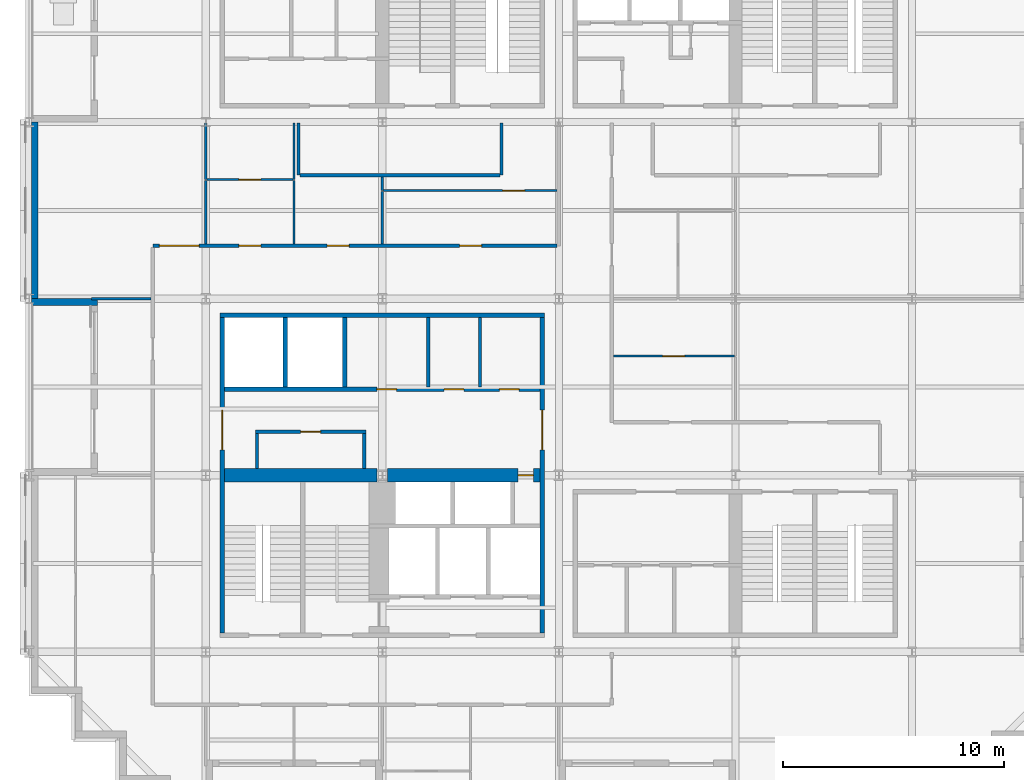
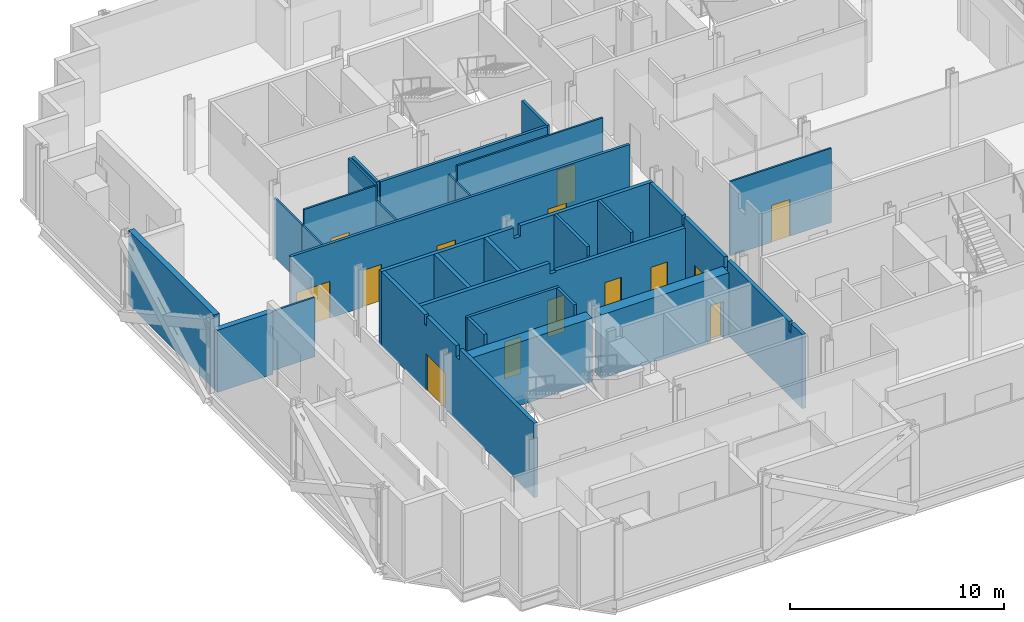
# One storey, part 6 of 13: 29 walls, 14 doors, 14 openings.
"""IFC4 building model written with IfcOpenShell, lengths in metres."""

import ifcopenshell
import ifcopenshell.guid

model = None  # the IFC model being written
_history = None  # IfcOwnerHistory: only IFC2X3 demands one
_inside = {}  # id of a spatial element -> (the spatial element, [elements in it])
_under = {}  # id of a project, library or spatial element -> (it, [spatial elements below it])
_declared = {}  # id of a project -> (the project, [libraries it declares])
_typed = {}  # id of a type object -> (the type object, [elements of that type])
_made_of = {}  # id of a material, layer set ... -> (it, [elements and type objects made of it])


def new_model(schema):
    """Start an empty IFC model of exactly this schema.

    Asked for "IFC4X3", IfcOpenShell would pick the latest addendum, in which some entities
    have other attributes; the version numbers below select the first issue.
    IFC2X3 requires an IfcOwnerHistory on every rooted entity: one is made here for all.
    """
    global model, _history
    if schema == "IFC4X3":
        model = ifcopenshell.file(schema_version=(4, 3, 0, 0))
    else:
        model = ifcopenshell.file(schema=schema)
    _inside.clear()
    _under.clear()
    _declared.clear()
    _typed.clear()
    _made_of.clear()
    _history = None
    if model.schema == "IFC2X3":
        org = make("IfcOrganization", Name="unknown")
        user = make(
            "IfcPersonAndOrganization",
            ThePerson=make("IfcPerson", FamilyName="unknown"),
            TheOrganization=org,
        )
        app = make(
            "IfcApplication",
            ApplicationDeveloper=org,
            Version="unknown",
            ApplicationFullName="unknown",
            ApplicationIdentifier="unknown",
        )
        _history = make(
            "IfcOwnerHistory",
            OwningUser=user,
            OwningApplication=app,
            ChangeAction="ADDED",
            CreationDate=0,
        )
    return model


def make(cls, **values):
    """One entity of the class cls with the attributes given. An attribute that is None is left unset."""
    return model.create_entity(
        cls, **{name: value for name, value in values.items() if value is not None}
    )


def rooted(cls, **values):
    """An entity with a GlobalId (a new one), such as an element, a storey or a relation."""
    return make(cls, GlobalId=ifcopenshell.guid.new(), OwnerHistory=_history, **values)


def si_unit(unit_type, name, prefix=None):
    """IfcSIUnit, for example si_unit("LENGTHUNIT", "METRE", prefix="MILLI")."""
    return make("IfcSIUnit", UnitType=unit_type, Prefix=prefix, Name=name)


def assignment(units):
    """IfcUnitAssignment: the units of a project."""
    return None if units is None else make("IfcUnitAssignment", Units=units)


def point(xyz):
    """IfcCartesianPoint."""
    return None if xyz is None else make("IfcCartesianPoint", Coordinates=xyz)


def direction(xyz):
    """IfcDirection."""
    return None if xyz is None else make("IfcDirection", DirectionRatios=xyz)


def frame(location, z_axis=None, x_axis=None):
    """IfcAxis2Placement3D, a coordinate frame: its origin and axes. An axis left out is left unset."""
    return make(
        "IfcAxis2Placement3D",
        Location=point(location),
        Axis=direction(z_axis),
        RefDirection=direction(x_axis),
    )


def frame_2d(location, x_axis=None):
    """IfcAxis2Placement2D, a coordinate frame in the plane: its origin and x axis."""
    return make(
        "IfcAxis2Placement2D", Location=point(location), RefDirection=direction(x_axis)
    )


def origin():
    """The frame at (0, 0, 0) with its axes left unset."""
    return frame((0.0, 0.0, 0.0))


def place(relative_to, where):
    """IfcLocalPlacement: puts the frame where relative to a parent placement (None: the world)."""
    return make(
        "IfcLocalPlacement", PlacementRelTo=relative_to, RelativePlacement=where
    )


def context(
    kind, dimensions, precision=None, world=None, true_north=None, identifier=None
):
    """IfcGeometricRepresentationContext, for example the 3D "Model" context."""
    return make(
        "IfcGeometricRepresentationContext",
        ContextIdentifier=identifier,
        ContextType=kind,
        CoordinateSpaceDimension=dimensions,
        Precision=precision,
        WorldCoordinateSystem=world,
        TrueNorth=true_north,
    )


def subcontext(parent, identifier, kind, view, scale=None):
    """IfcGeometricRepresentationSubContext, for example "Body" below "Model"."""
    return make(
        "IfcGeometricRepresentationSubContext",
        ContextIdentifier=identifier,
        ContextType=kind,
        ParentContext=parent,
        TargetScale=scale,
        TargetView=view,
    )


def project(units=None, contexts=None):
    """IfcProject with its units and contexts."""
    return rooted(
        "IfcProject",
        Name="project",
        RepresentationContexts=contexts,
        UnitsInContext=assignment(units),
    )


def spatial(cls, under=None, at=None, **own):
    """A site, building, storey or space (cls), placed at a placement, below another one or the project."""
    s = rooted(cls, ObjectPlacement=at, **own)
    if under is not None:
        _under.setdefault(under.id(), (under, []))[1].append(s)
    return s


def polyline(points):
    """IfcPolyline through the points."""
    return make("IfcPolyline", Points=[point(p) for p in points])


def profile(cls, at=None, kind="AREA", **sizes):
    """A parametric profile (cls). Its sizes go by their IFC names, for example OverallWidth=200.0."""
    return make(cls, ProfileType=kind, Position=at, **sizes)


def rectangle(**sizes):
    """IfcRectangleProfileDef."""
    return profile("IfcRectangleProfileDef", **sizes)


def outline(outer, holes=None, kind="AREA"):
    """IfcArbitraryClosedProfileDef: a profile drawn as a closed curve; with holes, ...WithVoids."""
    if holes is None:
        return make("IfcArbitraryClosedProfileDef", ProfileType=kind, OuterCurve=outer)
    return make(
        "IfcArbitraryProfileDefWithVoids",
        ProfileType=kind,
        OuterCurve=outer,
        InnerCurves=holes,
    )


def extrude(swept, where, along, depth):
    """IfcExtrudedAreaSolid: the profile swept, set in the frame where, extruded along a direction by depth."""
    return make(
        "IfcExtrudedAreaSolid",
        SweptArea=swept,
        Position=where,
        ExtrudedDirection=direction(along),
        Depth=depth,
    )


def shape(context_of_items, identifier, shape_type, items):
    """IfcShapeRepresentation: the items that make up one representation, for example the "Body"."""
    return make(
        "IfcShapeRepresentation",
        ContextOfItems=context_of_items,
        RepresentationIdentifier=identifier,
        RepresentationType=shape_type,
        Items=items,
    )


def material(Name=None, Category=None):
    """IfcMaterial."""
    return make("IfcMaterial", Name=Name, Category=Category)


def layer(
    of_material, thickness, ventilated=None, Name=None, Category=None, Priority=None
):
    """IfcMaterialLayer: one layer of a wall or slab, of a material (None: an air gap)."""
    return make(
        "IfcMaterialLayer",
        Material=of_material,
        LayerThickness=thickness,
        IsVentilated=ventilated,
        Name=Name,
        Category=Category,
        Priority=Priority,
    )


def layer_set(layers, Name=None):
    """IfcMaterialLayerSet."""
    return make("IfcMaterialLayerSet", MaterialLayers=layers, LayerSetName=Name)


def made_of(thing, what):
    """Note that an element or type object is made of a material, layer set ...; save() writes the relation."""
    if what is not None:
        _made_of.setdefault(what.id(), (what, []))[1].append(thing)
    return thing


def type_object(cls, material=None, **own):
    """A type object (cls), such as IfcWallType, which elements share."""
    return made_of(rooted(cls, **own), material)


def element(
    cls,
    number,
    at=None,
    inside=None,
    cuts=None,
    type_object=None,
    material=None,
    context=None,
    identifier="Body",
    shape_type=None,
    held_by="IfcProductDefinitionShape",
    body=None,
    shapes=None,
    **own,
):
    """One element of the class cls, such as IfcWall. Its Tag is "e" and its number.

    at: its placement. inside: the storey or other place that contains it. cuts: it is an
    opening in that element (IfcRelVoidsElement). A single representation is given by context,
    identifier, shape_type and body (its items); several are given by shapes. held_by: the class
    of the entity that holds the representations. save() writes the other relations.
    """
    e = rooted(cls, Tag="e%d" % number, ObjectPlacement=at, **own)
    if body is not None:
        shapes = [shape(context, identifier, shape_type, body)]
    if shapes is not None:
        e.Representation = make(held_by, Representations=shapes)
    if inside is not None:
        _inside.setdefault(inside.id(), (inside, []))[1].append(e)
    if cuts is not None:
        rooted(
            "IfcRelVoidsElement", RelatingBuildingElement=cuts, RelatedOpeningElement=e
        )
    if type_object is not None:
        _typed.setdefault(type_object.id(), (type_object, []))[1].append(e)
    return made_of(e, material)


def fill(opening, filler):
    """IfcRelFillsElement: the door or window that sits in an opening."""
    return rooted(
        "IfcRelFillsElement",
        RelatingOpeningElement=opening,
        RelatedBuildingElement=filler,
    )


def aggregate(whole, parts):
    """IfcRelAggregates: a whole, such as a stair, and the parts it consists of."""
    return rooted("IfcRelAggregates", RelatingObject=whole, RelatedObjects=parts)


def save(model, path):
    """Write the relations noted so far, then the file.

    IfcRelAggregates (storeys below a building ...), IfcRelContainedInSpatialStructure (elements
    in a storey), IfcRelDefinesByType, IfcRelAssociatesMaterial and IfcRelDeclares: one each for
    every whole, place, type object, material and project.
    """
    for whole, parts in _under.values():
        aggregate(whole, parts)
    for where, things in _inside.values():
        rooted(
            "IfcRelContainedInSpatialStructure",
            RelatedElements=things,
            RelatingStructure=where,
        )
    for kind, things in _typed.values():
        rooted("IfcRelDefinesByType", RelatedObjects=things, RelatingType=kind)
    for what, things in _made_of.values():
        rooted("IfcRelAssociatesMaterial", RelatedObjects=things, RelatingMaterial=what)
    for by, libraries in _declared.values():
        rooted("IfcRelDeclares", RelatingContext=by, RelatedDefinitions=libraries)
    model.write(path)


model = new_model("IFC4")

# Units and contexts
model_context = context("Model", 3, precision=1e-05, world=origin(), true_north=direction((0.0, 1.0)))
body_context = subcontext(model_context, "Body", "Model", "MODEL_VIEW")
ifc_project = project(units=[si_unit("LENGTHUNIT", "METRE"), si_unit("AREAUNIT", "SQUARE_METRE"), si_unit("VOLUMEUNIT", "CUBIC_METRE"), si_unit("PLANEANGLEUNIT", "RADIAN"), si_unit("MASSUNIT", "GRAM", prefix="KILO")], contexts=[model_context])

# Site, building, storey
site_placement = place(None, origin())
site = spatial("IfcSite", under=ifc_project, at=site_placement, CompositionType="ELEMENT")
building_placement = place(site_placement, origin())
building = spatial("IfcBuilding", under=site, at=building_placement, Name="Immortelle Media Tower", CompositionType="ELEMENT")
storey_placement = place(building_placement, frame((0.0, 0.0, 34.800048828125)))
storey = spatial("IfcBuildingStorey", under=building, at=storey_placement, Name="L04", CompositionType="ELEMENT", Elevation=34.800048828125)

# Wall, opening, door
ifc_material_1 = material(Name="Fire-rated masonry blockwork", Category="masonry")
ifc_layer_1 = layer(ifc_material_1, 0.60009765625)
ifc_layer_set_1 = layer_set([ifc_layer_1], Name="Fire-rated masonry blockwork")
wall_type_1 = type_object("IfcWallType", Name="Core grid-line wall 600", PredefinedType="PARTITIONING", material=ifc_layer_set_1)
wall_1_placement = place(storey_placement, frame((16.237548828125, 16.0, 0.0), z_axis=(0.0, 0.0, 1.0), x_axis=(1.0, 0.0, 0.0)))
wall_1 = element("IfcWall", 1, at=wall_1_placement, inside=storey, type_object=wall_type_1, Name="Core grid-line wall SW", PredefinedType="PARTITIONING", context=body_context, shape_type="SweptSolid", body=[
    extrude(rectangle(XDim=6.912353515625, YDim=0.60009765625, at=frame_2d((3.4560546875, 0.0))), origin(), (0.0, 0.0, 1.0), 3.6318359375),
])
opening_1_placement = place(wall_1_placement, frame((6.612548828125, 0.0, 0.0), z_axis=(0.0, 0.0, 1.0), x_axis=(-1.0, 0.0, 0.0)))
opening_1 = element("IfcOpeningElement", 2, at=opening_1_placement, cuts=wall_1, Name="Opening N1-K013", PredefinedType="OPENING", context=body_context, shape_type="SweptSolid", body=[
    extrude(rectangle(XDim=0.699951171875, YDim=2.10009765625, at=frame_2d((0.35009765625, 1.050048828125))), frame((0.0, 0.31005859375, 0.0), z_axis=(0.0, -1.0, 0.0), x_axis=(1.0, 0.0, 0.0)), (0.0, 0.0, 1.0), 0.6201171875),
])
ifc_material_2 = material(Name="Galvanised steel door leaf and frame ASTM A653", Category="steel")
door_type_1 = type_object("IfcDoorType", Name="Service door 700 x 2100", OperationType="NOTDEFINED", PredefinedType="NOTDEFINED", material=ifc_material_2)
door_1_placement = place(opening_1_placement, origin())
door_1 = element("IfcDoor", 3, at=door_1_placement, inside=storey, type_object=door_type_1, Name="Service N1-K013", OperationType="SINGLE_SWING_RIGHT", OverallHeight=2.10009765625, OverallWidth=0.699951171875, PredefinedType="NOTDEFINED", context=body_context, shape_type="SweptSolid", body=[
    extrude(rectangle(XDim=0.699951171875, YDim=2.10009765625, at=frame_2d((0.35009765625, 1.050048828125))), frame((0.0, 0.02490234375, 0.0), z_axis=(0.0, -1.0, 0.0), x_axis=(1.0, 0.0, 0.0)), (0.0, 0.0, 1.0), 0.050048828125),
])
fill(opening_1, door_1)

# Wall
ifc_material_3 = material(Name="Fire-rated gypsum board", Category="gypsum")
ifc_layer_2 = layer(ifc_material_3, 0.02490234375)
ifc_material_4 = material(Name="Steel ASTM A653 SS Gr 50 stud frame with mineral wool", Category="steel")
ifc_layer_3 = layer(ifc_material_4, 0.10009765625)
ifc_layer_4 = layer(ifc_material_3, 0.02490234375)
ifc_layer_set_2 = layer_set([ifc_layer_2, ifc_layer_3, ifc_layer_4], Name="Steel ASTM A653 SS Gr 50 stud frame with mineral wool")
wall_type_2 = type_object("IfcWallType", Name="Core partition 150", PredefinedType="PARTITIONING", material=ifc_layer_set_2)
wall_2_placement = place(storey_placement, frame((10.324951171875, 16.300048828125, 0.0), z_axis=(0.0, 0.0, 1.0), x_axis=(0.0, 1.0, 0.0)))
element("IfcWall", 4, at=wall_2_placement, inside=storey, type_object=wall_type_2, Name="Core partition SW", PredefinedType="PARTITIONING", context=body_context, shape_type="SweptSolid", body=[
    extrude(rectangle(XDim=1.599853515625, YDim=0.14990234375, at=frame_2d((0.7998046875, 0.0))), origin(), (0.0, 0.0, 1.0), 4.25),
])

# Wall, opening, door
wall_3_placement = place(storey_placement, frame((10.25, 17.97509765625, 0.0), z_axis=(0.0, 0.0, 1.0), x_axis=(1.0, 0.0, 0.0)))
wall_3 = element("IfcWall", 5, at=wall_3_placement, inside=storey, type_object=wall_type_2, Name="Core partition SW", PredefinedType="PARTITIONING", context=body_context, shape_type="SweptSolid", body=[
    extrude(rectangle(XDim=5.0, YDim=0.14990234375, at=frame_2d((2.5, 0.0))), origin(), (0.0, 0.0, 1.0), 4.25),
])
opening_2_placement = place(wall_3_placement, frame((2.949951171875, 0.0, 0.0), z_axis=(0.0, 0.0, 1.0), x_axis=(-1.0, 0.0, 0.0)))
opening_2 = element("IfcOpeningElement", 6, at=opening_2_placement, cuts=wall_3, Name="Opening N1-K003", PredefinedType="OPENING", context=body_context, shape_type="SweptSolid", body=[
    extrude(rectangle(XDim=0.89990234375, YDim=2.10009765625, at=frame_2d((0.449951171875, 1.050048828125))), frame((0.0, 0.0849609375, 0.0), z_axis=(0.0, -1.0, 0.0), x_axis=(1.0, 0.0, 0.0)), (0.0, 0.0, 1.0), 0.169921875),
])
ifc_material_5 = material(Name="Timber", Category="wood")
door_type_2 = type_object("IfcDoorType", Name="Room door 900 x 2100", OperationType="NOTDEFINED", PredefinedType="NOTDEFINED", material=ifc_material_5)
door_2_placement = place(opening_2_placement, origin())
door_2 = element("IfcDoor", 7, at=door_2_placement, inside=storey, type_object=door_type_2, Name="Room N1-K003", OperationType="SINGLE_SWING_LEFT", OverallHeight=2.10009765625, OverallWidth=0.89990234375, PredefinedType="NOTDEFINED", context=body_context, shape_type="SweptSolid", body=[
    extrude(rectangle(XDim=0.89990234375, YDim=2.10009765625, at=frame_2d((0.449951171875, 1.050048828125))), frame((0.0, 0.02490234375, 0.0), z_axis=(0.0, -1.0, 0.0), x_axis=(1.0, 0.0, 0.0)), (0.0, 0.0, 1.0), 0.050048828125),
])
fill(opening_2, door_2)

# Walls
wall_4_placement = place(storey_placement, frame((15.175048828125, 16.300048828125, 0.0), z_axis=(0.0, 0.0, 1.0), x_axis=(0.0, 1.0, 0.0)))
element("IfcWall", 8, at=wall_4_placement, inside=storey, type_object=wall_type_2, Name="Core partition SW", PredefinedType="PARTITIONING", context=body_context, shape_type="SweptSolid", body=[
    extrude(rectangle(XDim=1.599853515625, YDim=0.14990234375, at=frame_2d((0.7998046875, 0.0))), origin(), (0.0, 0.0, 1.0), 4.25),
])
for number, where, z_axis, x_axis, name in (
    (9, (18.074951171875, 20.0, 0.0), (0.0, 0.0, 1.0), (0.0, 1.0, 0.0), "Core partition SW"),
    (10, (20.425048828125, 20.0, 0.0), (0.0, 0.0, 1.0), (0.0, 1.0, 0.0), "Core partition SW"),
):
    element("IfcWall", number, at=place(storey_placement, frame(where, z_axis=z_axis, x_axis=x_axis)), inside=storey, type_object=wall_type_2, Name=name, PredefinedType="PARTITIONING", context=body_context, shape_type="SweptSolid", body=[
        extrude(outline(polyline([(0.0, 0.0), (3.14990234375, 0.0), (3.14990234375, 4.25), (0.08837890625, 4.25), (0.08740234375, 3.7080078125), (0.0, 3.7080078125), (0.0, 0.0)])), frame((0.0, 0.074951171875, 0.0), z_axis=(0.0, -1.0, 0.0), x_axis=(1.0, 0.0, 0.0)), (0.0, 0.0, 1.0), 0.14990234375),
    ])
ifc_layer_5 = layer(ifc_material_3, 0.03759765625)
ifc_layer_6 = layer(ifc_material_4, 0.125)
ifc_layer_7 = layer(ifc_material_3, 0.03759765625)
ifc_layer_set_3 = layer_set([ifc_layer_5, ifc_layer_6, ifc_layer_7], Name="Steel ASTM A653 SS Gr 50 stud frame with mineral wool")
wall_type_3 = type_object("IfcWallType", Name="Core shaft wall 200", PredefinedType="PARTITIONING", material=ifc_layer_set_3)
wall_5_placement = place(storey_placement, frame((8.64990234375, 23.25, 0.0), z_axis=(0.0, 0.0, 1.0), x_axis=(1.0, 0.0, 0.0)))
element("IfcWall", 11, at=wall_5_placement, inside=storey, type_object=wall_type_3, Name="Core shaft wall SW", PredefinedType="PARTITIONING", context=body_context, shape_type="SweptSolid", body=[
    extrude(outline(polyline([(0.0, 0.0), (14.7001953125, 0.0), (14.699951171875, 4.25), (7.51708984375, 4.25), (7.51611328125, 3.6318359375), (7.18408203125, 3.6318359375), (7.18310546875, 4.25), (0.0, 4.25), (0.0, 0.0)])), frame((0.0, 0.10009765625, 0.0), z_axis=(0.0, -1.0, 0.0), x_axis=(1.0, 0.0, 0.0)), (0.0, 0.0, 1.0), 0.199951171875),
])

# Wall, openings, doors
wall_6_placement = place(storey_placement, frame((8.85009765625, 19.89990234375, 0.0), z_axis=(0.0, 0.0, 1.0), x_axis=(1.0, 0.0, 0.0)))
wall_6 = element("IfcWall", 12, at=wall_6_placement, inside=storey, type_object=wall_type_3, Name="Core shaft wall SW", PredefinedType="PARTITIONING", context=body_context, shape_type="SweptSolid", body=[
    extrude(outline(polyline([(0.0, 0.0), (14.2998046875, 0.0), (14.300048828125, 3.7080078125), (7.31689453125, 3.7080078125), (7.31591796875, 3.6318359375), (6.98388671875, 3.6318359375), (6.98291015625, 4.25), (0.0, 4.25), (0.0, 0.0)])), frame((0.0, 0.10009765625, 0.0), z_axis=(0.0, -1.0, 0.0), x_axis=(1.0, 0.0, 0.0)), (0.0, 0.0, 1.0), 0.199951171875),
])
opening_3_placement = place(wall_6_placement, frame((6.89990234375, 0.0, 0.0)))
opening_3 = element("IfcOpeningElement", 13, at=opening_3_placement, cuts=wall_6, Name="Opening N1-K006", PredefinedType="OPENING", context=body_context, shape_type="SweptSolid", body=[
    extrude(rectangle(XDim=0.89990234375, YDim=2.10009765625, at=frame_2d((0.449951171875, 1.050048828125))), frame((0.0, 0.10986328125, 0.0), z_axis=(0.0, -1.0, 0.0), x_axis=(1.0, 0.0, 0.0)), (0.0, 0.0, 1.0), 0.219970703125),
])
opening_4_placement = place(wall_6_placement, frame((9.949951171875, 0.0, 0.0)))
opening_4 = element("IfcOpeningElement", 14, at=opening_4_placement, cuts=wall_6, Name="Opening N1-K008", PredefinedType="OPENING", context=body_context, shape_type="SweptSolid", body=[
    extrude(rectangle(XDim=0.89990234375, YDim=2.10009765625, at=frame_2d((0.449951171875, 1.050048828125))), frame((0.0, 0.10986328125, 0.0), z_axis=(0.0, -1.0, 0.0), x_axis=(1.0, 0.0, 0.0)), (0.0, 0.0, 1.0), 0.219970703125),
])
opening_5_placement = place(wall_6_placement, frame((12.449951171875, 0.0, 0.0)))
opening_5 = element("IfcOpeningElement", 15, at=opening_5_placement, cuts=wall_6, Name="Opening N1-K011", PredefinedType="OPENING", context=body_context, shape_type="SweptSolid", body=[
    extrude(rectangle(XDim=0.89990234375, YDim=2.10009765625, at=frame_2d((0.449951171875, 1.050048828125))), frame((0.0, 0.10986328125, 0.0), z_axis=(0.0, -1.0, 0.0), x_axis=(1.0, 0.0, 0.0)), (0.0, 0.0, 1.0), 0.219970703125),
])
door_3_placement = place(opening_3_placement, origin())
door_3 = element("IfcDoor", 16, at=door_3_placement, inside=storey, type_object=door_type_2, Name="Room N1-K006", OperationType="SINGLE_SWING_RIGHT", OverallHeight=2.10009765625, OverallWidth=0.89990234375, PredefinedType="NOTDEFINED", context=body_context, shape_type="SweptSolid", body=[
    extrude(rectangle(XDim=0.89990234375, YDim=2.10009765625, at=frame_2d((0.449951171875, 1.050048828125))), frame((0.0, 0.02490234375, 0.0), z_axis=(0.0, -1.0, 0.0), x_axis=(1.0, 0.0, 0.0)), (0.0, 0.0, 1.0), 0.050048828125),
])
fill(opening_3, door_3)
door_type_3 = type_object("IfcDoorType", Name="Toilet door 900 x 2100", OperationType="NOTDEFINED", PredefinedType="NOTDEFINED", material=ifc_material_5)
door_4_placement = place(opening_4_placement, origin())
door_4 = element("IfcDoor", 17, at=door_4_placement, inside=storey, type_object=door_type_3, Name="Toilet N1-K008", OperationType="SINGLE_SWING_RIGHT", OverallHeight=2.10009765625, OverallWidth=0.89990234375, PredefinedType="NOTDEFINED", context=body_context, shape_type="SweptSolid", body=[
    extrude(rectangle(XDim=0.89990234375, YDim=2.10009765625, at=frame_2d((0.449951171875, 1.050048828125))), frame((0.0, 0.02490234375, 0.0), z_axis=(0.0, -1.0, 0.0), x_axis=(1.0, 0.0, 0.0)), (0.0, 0.0, 1.0), 0.050048828125),
])
fill(opening_4, door_4)
door_5_placement = place(opening_5_placement, origin())
door_5 = element("IfcDoor", 18, at=door_5_placement, inside=storey, type_object=door_type_3, Name="Toilet N1-K011", OperationType="SINGLE_SWING_RIGHT", OverallHeight=2.10009765625, OverallWidth=0.89990234375, PredefinedType="NOTDEFINED", context=body_context, shape_type="SweptSolid", body=[
    extrude(rectangle(XDim=0.89990234375, YDim=2.10009765625, at=frame_2d((0.449951171875, 1.050048828125))), frame((0.0, 0.02490234375, 0.0), z_axis=(0.0, -1.0, 0.0), x_axis=(1.0, 0.0, 0.0)), (0.0, 0.0, 1.0), 0.050048828125),
])
fill(opening_5, door_5)

# Walls
for number, where, z_axis, x_axis, name in (
    (19, (11.60009765625, 20.0, 0.0), (0.0, 0.0, 1.0), (0.0, 1.0, 0.0), "Core shaft wall SW"),
    (20, (14.300048828125, 20.0, 0.0), (0.0, 0.0, 1.0), (0.0, 1.0, 0.0), "Core shaft wall SW"),
):
    element("IfcWall", number, at=place(storey_placement, frame(where, z_axis=z_axis, x_axis=x_axis)), inside=storey, type_object=wall_type_3, Name=name, PredefinedType="PARTITIONING", context=body_context, shape_type="SweptSolid", body=[
        extrude(rectangle(XDim=3.14990234375, YDim=0.199951171875, at=frame_2d((1.574951171875, 0.0))), origin(), (0.0, 0.0, 1.0), 4.25),
    ])

# Wall, opening, door
wall_7_placement = place(storey_placement, frame((23.25, 8.85009765625, 0.0), z_axis=(0.0, 0.0, 1.0), x_axis=(0.0, 1.0, 0.0)))
wall_7 = element("IfcWall", 21, at=wall_7_placement, inside=storey, type_object=wall_type_3, Name="Core shaft wall SW", PredefinedType="PARTITIONING", context=body_context, shape_type="SweptSolid", body=[
    extrude(outline(polyline([(0.0, 0.0), (14.2998046875, 0.0), (14.300048828125, 4.25), (11.238525390625, 4.25), (11.237548828125, 3.7080078125), (11.0625, 3.7080078125), (11.0615234375, 4.25), (7.31689453125, 4.25), (7.31591796875, 3.6318359375), (6.98388671875, 3.6318359375), (6.98291015625, 4.25), (1.238525390625, 4.25), (1.237548828125, 3.7080078125), (1.0625, 3.7080078125), (1.0615234375, 4.25), (0.0, 4.25), (0.0, 0.0)])), frame((0.0, 0.10009765625, 0.0), z_axis=(0.0, -1.0, 0.0), x_axis=(1.0, 0.0, 0.0)), (0.0, 0.0, 1.0), 0.199951171875),
])
opening_6_placement = place(wall_7_placement, frame((8.300048828125, 0.0, 0.0)))
opening_6 = element("IfcOpeningElement", 22, at=opening_6_placement, cuts=wall_7, Name="Opening N1-K014", PredefinedType="OPENING", context=body_context, shape_type="SweptSolid", body=[
    extrude(rectangle(XDim=1.800048828125, YDim=2.10009765625, at=frame_2d((0.89990234375, 1.050048828125))), frame((0.0, 0.10986328125, 0.0), z_axis=(0.0, -1.0, 0.0), x_axis=(1.0, 0.0, 0.0)), (0.0, 0.0, 1.0), 0.219970703125),
])
door_type_4 = type_object("IfcDoorType", Name="Lift lobby door 1800 x 2100", OperationType="DOUBLE_DOOR_SINGLE_SWING", PredefinedType="NOTDEFINED", material=ifc_material_2)
door_6_placement = place(opening_6_placement, origin())
door_6 = element("IfcDoor", 23, at=door_6_placement, inside=storey, type_object=door_type_4, Name="Lift lobby N1-K014", OperationType="DOUBLE_DOOR_SINGLE_SWING", OverallHeight=2.10009765625, OverallWidth=1.800048828125, PredefinedType="NOTDEFINED", context=body_context, shape_type="SweptSolid", body=[
    extrude(rectangle(XDim=1.800048828125, YDim=2.10009765625, at=frame_2d((0.89990234375, 1.050048828125))), frame((0.0, 0.02490234375, 0.0), z_axis=(0.0, -1.0, 0.0), x_axis=(1.0, 0.0, 0.0)), (0.0, 0.0, 1.0), 0.050048828125),
])
fill(opening_6, door_6)

# Wall, openings, doors
ifc_layer_8 = layer(ifc_material_3, 0.012451171875)
ifc_layer_9 = layer(ifc_material_4, 0.125)
ifc_layer_10 = layer(ifc_material_3, 0.012451171875)
ifc_layer_set_4 = layer_set([ifc_layer_8, ifc_layer_9, ifc_layer_10], Name="Steel ASTM A653 SS Gr 50 stud frame with mineral wool")
wall_type_4 = type_object("IfcWallType", Name="Corridor wall 150", PredefinedType="PARTITIONING", material=ifc_layer_set_4)
wall_8_placement = place(storey_placement, frame((5.60009765625, 26.39990234375, 0.0), z_axis=(0.0, 0.0, 1.0), x_axis=(1.0, 0.0, 0.0)))
wall_8 = element("IfcWall", 24, at=wall_8_placement, inside=storey, type_object=wall_type_4, Name="Partition L04-026", PredefinedType="PARTITIONING", context=body_context, shape_type="SweptSolid", body=[
    extrude(rectangle(XDim=18.324951171875, YDim=0.14990234375, at=frame_2d((9.16259765625, 0.0))), origin(), (0.0, 0.0, 1.0), 4.25),
])
opening_7_placement = place(wall_8_placement, frame((13.89990234375, 0.0, 0.0)))
opening_7 = element("IfcOpeningElement", 25, at=opening_7_placement, cuts=wall_8, Name="Opening N1-F016", PredefinedType="OPENING", context=body_context, shape_type="SweptSolid", body=[
    extrude(rectangle(XDim=1.0, YDim=2.10009765625, at=frame_2d((0.5, 1.050048828125))), frame((0.0, 0.0849609375, 0.0), z_axis=(0.0, -1.0, 0.0), x_axis=(1.0, 0.0, 0.0)), (0.0, 0.0, 1.0), 0.169921875),
])
opening_8_placement = place(wall_8_placement, frame((3.89990234375, 0.0, 0.0)))
opening_8 = element("IfcOpeningElement", 26, at=opening_8_placement, cuts=wall_8, Name="Opening N1-F018", PredefinedType="OPENING", context=body_context, shape_type="SweptSolid", body=[
    extrude(rectangle(XDim=1.0, YDim=2.10009765625, at=frame_2d((0.5, 1.050048828125))), frame((0.0, 0.0849609375, 0.0), z_axis=(0.0, -1.0, 0.0), x_axis=(1.0, 0.0, 0.0)), (0.0, 0.0, 1.0), 0.169921875),
])
opening_9_placement = place(wall_8_placement, frame((7.89990234375, 0.0, 0.0)))
opening_9 = element("IfcOpeningElement", 27, at=opening_9_placement, cuts=wall_8, Name="Opening N1-F020", PredefinedType="OPENING", context=body_context, shape_type="SweptSolid", body=[
    extrude(rectangle(XDim=1.0, YDim=2.10009765625, at=frame_2d((0.5, 1.050048828125))), frame((0.0, 0.0849609375, 0.0), z_axis=(0.0, -1.0, 0.0), x_axis=(1.0, 0.0, 0.0)), (0.0, 0.0, 1.0), 0.169921875),
])
opening_10_placement = place(wall_8_placement, frame((0.300048828125, 0.0, 0.0)))
opening_10 = element("IfcOpeningElement", 28, at=opening_10_placement, cuts=wall_8, Name="Opening N1-F022", PredefinedType="OPENING", context=body_context, shape_type="SweptSolid", body=[
    extrude(rectangle(XDim=1.800048828125, YDim=2.10009765625, at=frame_2d((0.89990234375, 1.050048828125))), frame((0.0, 0.0849609375, 0.0), z_axis=(0.0, -1.0, 0.0), x_axis=(1.0, 0.0, 0.0)), (0.0, 0.0, 1.0), 0.169921875),
])
ifc_material_6 = material(Name="Timber veneered door leaf, galvanised steel frame ASTM A653", Category="steel")
door_type_5 = type_object("IfcDoorType", Name="Room door 1000 x 2100", OperationType="NOTDEFINED", PredefinedType="DOOR", material=ifc_material_6)
door_7_placement = place(opening_7_placement, origin())
door_7 = element("IfcDoor", 29, at=door_7_placement, inside=storey, type_object=door_type_5, Name="Door N1-F016", OperationType="SINGLE_SWING_RIGHT", OverallHeight=2.10009765625, OverallWidth=1.0, PredefinedType="DOOR", context=body_context, shape_type="SweptSolid", body=[
    extrude(rectangle(XDim=1.0, YDim=2.10009765625, at=frame_2d((0.5, 1.050048828125))), frame((0.0, 0.02490234375, 0.0), z_axis=(0.0, -1.0, 0.0), x_axis=(1.0, 0.0, 0.0)), (0.0, 0.0, 1.0), 0.050048828125),
])
fill(opening_7, door_7)
door_8_placement = place(opening_8_placement, origin())
door_8 = element("IfcDoor", 30, at=door_8_placement, inside=storey, type_object=door_type_5, Name="Door N1-F018", OperationType="SINGLE_SWING_RIGHT", OverallHeight=2.10009765625, OverallWidth=1.0, PredefinedType="DOOR", context=body_context, shape_type="SweptSolid", body=[
    extrude(rectangle(XDim=1.0, YDim=2.10009765625, at=frame_2d((0.5, 1.050048828125))), frame((0.0, 0.02490234375, 0.0), z_axis=(0.0, -1.0, 0.0), x_axis=(1.0, 0.0, 0.0)), (0.0, 0.0, 1.0), 0.050048828125),
])
fill(opening_8, door_8)
door_9_placement = place(opening_9_placement, origin())
door_9 = element("IfcDoor", 31, at=door_9_placement, inside=storey, type_object=door_type_5, Name="Door N1-F020", OperationType="SINGLE_SWING_RIGHT", OverallHeight=2.10009765625, OverallWidth=1.0, PredefinedType="DOOR", context=body_context, shape_type="SweptSolid", body=[
    extrude(rectangle(XDim=1.0, YDim=2.10009765625, at=frame_2d((0.5, 1.050048828125))), frame((0.0, 0.02490234375, 0.0), z_axis=(0.0, -1.0, 0.0), x_axis=(1.0, 0.0, 0.0)), (0.0, 0.0, 1.0), 0.050048828125),
])
fill(opening_9, door_9)
door_type_6 = type_object("IfcDoorType", Name="Room door 1800 x 2100", OperationType="DOUBLE_DOOR_SINGLE_SWING", PredefinedType="DOOR", material=ifc_material_6)
door_10_placement = place(opening_10_placement, origin())
door_10 = element("IfcDoor", 32, at=door_10_placement, inside=storey, type_object=door_type_6, Name="Door N1-F022", OperationType="DOUBLE_DOOR_SINGLE_SWING", OverallHeight=2.10009765625, OverallWidth=1.800048828125, PredefinedType="DOOR", context=body_context, shape_type="SweptSolid", body=[
    extrude(rectangle(XDim=1.800048828125, YDim=2.10009765625, at=frame_2d((0.89990234375, 1.050048828125))), frame((0.0, 0.02490234375, 0.0), z_axis=(0.0, -1.0, 0.0), x_axis=(1.0, 0.0, 0.0)), (0.0, 0.0, 1.0), 0.050048828125),
])
fill(opening_10, door_10)

# Walls
wall_9_placement = place(storey_placement, frame((12.27490234375, 29.60009765625, 0.0), z_axis=(0.0, 0.0, 1.0), x_axis=(1.0, 0.0, 0.0)))
element("IfcWall", 33, at=wall_9_placement, inside=storey, type_object=wall_type_4, Name="Partition L04-039", PredefinedType="PARTITIONING", context=body_context, shape_type="SweptSolid", body=[
    extrude(rectangle(XDim=9.050048828125, YDim=0.14990234375, at=frame_2d((4.52490234375, 0.0))), origin(), (0.0, 0.0, 1.0), 4.25),
])
for number, where, z_axis, x_axis, name in (
    (34, (12.199951171875, 29.60009765625, 0.0), (0.0, 0.0, 1.0), (0.0, 1.0, 0.0), "Partition L04-040"),
    (35, (21.39990234375, 29.60009765625, 0.0), (0.0, 0.0, 1.0), (0.0, 1.0, 0.0), "Partition L04-041"),
):
    element("IfcWall", number, at=place(storey_placement, frame(where, z_axis=z_axis, x_axis=x_axis)), inside=storey, type_object=wall_type_4, Name=name, PredefinedType="PARTITIONING", context=body_context, shape_type="SweptSolid", body=[
        extrude(rectangle(XDim=2.369873046875, YDim=0.14990234375, at=frame_2d((1.18505859375, 0.0))), origin(), (0.0, 0.0, 1.0), 4.25),
    ])
ifc_material_7 = material(Name="Pale aluminium cladding panel", Category="aluminium")
ifc_layer_11 = layer(ifc_material_7, 0.030029296875)
ifc_layer_12 = layer(ifc_material_4, 0.257568359375)
ifc_material_8 = material(Name="Moisture-resistant gypsum board", Category="gypsum")
ifc_layer_13 = layer(ifc_material_8, 0.012451171875)
ifc_layer_set_5 = layer_set([ifc_layer_11, ifc_layer_12, ifc_layer_13], Name="Steel ASTM A653 SS Gr 50 stud frame with mineral wool")
wall_type_5 = type_object("IfcWallType", Name="Facade wall 300", PredefinedType="SOLIDWALL", material=ifc_layer_set_5)
wall_10_placement = place(storey_placement, frame((0.25, 32.0, 0.0), z_axis=(0.0, 0.0, 1.0), x_axis=(0.0, -1.0, 0.0)))
element("IfcWall", 36, at=wall_10_placement, inside=storey, type_object=wall_type_5, Name="Facade wall L04 W0", PredefinedType="SOLIDWALL", context=body_context, shape_type="SweptSolid", body=[
    extrude(rectangle(XDim=8.0, YDim=0.300048828125, at=frame_2d((4.0, 0.0))), origin(), (0.0, 0.0, 1.0), 4.25),
])
wall_11_placement = place(storey_placement, frame((0.10009765625, 23.85009765625, 0.0), z_axis=(0.0, 0.0, 1.0), x_axis=(1.0, 0.0, 0.0)))
element("IfcWall", 37, at=wall_11_placement, inside=storey, type_object=wall_type_5, Name="Loggia cheek wall L04 W", PredefinedType="SOLIDWALL", context=body_context, shape_type="SweptSolid", body=[
    extrude(rectangle(XDim=3.0, YDim=0.300048828125, at=frame_2d((1.5, 0.0))), origin(), (0.0, 0.0, 1.0), 3.552978515625),
])

# Wall, opening, door
ifc_material_9 = material(Name="Gypsum board", Category="gypsum")
ifc_layer_14 = layer(ifc_material_9, 0.012451171875)
ifc_layer_15 = layer(ifc_material_4, 0.074951171875)
ifc_layer_16 = layer(ifc_material_9, 0.012451171875)
ifc_layer_set_6 = layer_set([ifc_layer_14, ifc_layer_15, ifc_layer_16], Name="Steel ASTM A653 SS Gr 50 stud frame with mineral wool")
wall_type_6 = type_object("IfcWallType", Name="Partition 100", PredefinedType="PARTITIONING", material=ifc_layer_set_6)
wall_12_placement = place(storey_placement, frame((26.47509765625, 21.39990234375, 0.0), z_axis=(0.0, 0.0, 1.0), x_axis=(1.0, 0.0, 0.0)))
wall_12 = element("IfcWall", 38, at=wall_12_placement, inside=storey, type_object=wall_type_6, Name="Partition L04-018", PredefinedType="PARTITIONING", context=body_context, shape_type="SweptSolid", body=[
    extrude(rectangle(XDim=5.474853515625, YDim=0.10009765625, at=frame_2d((2.7373046875, 0.0))), origin(), (0.0, 0.0, 1.0), 4.25),
])
opening_11_placement = place(wall_12_placement, frame((3.22509765625, 0.0, 0.0), z_axis=(0.0, 0.0, 1.0), x_axis=(-1.0, 0.0, 0.0)))
opening_11 = element("IfcOpeningElement", 39, at=opening_11_placement, cuts=wall_12, Name="Opening N1-F012", PredefinedType="OPENING", context=body_context, shape_type="SweptSolid", body=[
    extrude(rectangle(XDim=1.0, YDim=2.10009765625, at=frame_2d((0.5, 1.050048828125))), frame((0.0, 0.06005859375, 0.0), z_axis=(0.0, -1.0, 0.0), x_axis=(1.0, 0.0, 0.0)), (0.0, 0.0, 1.0), 0.1201171875),
])
door_11_placement = place(opening_11_placement, origin())
door_11 = element("IfcDoor", 40, at=door_11_placement, inside=storey, type_object=door_type_5, Name="Door N1-F012", OperationType="SINGLE_SWING_LEFT", OverallHeight=2.10009765625, OverallWidth=1.0, PredefinedType="DOOR", context=body_context, shape_type="SweptSolid", body=[
    extrude(rectangle(XDim=1.0, YDim=2.10009765625, at=frame_2d((0.5, 1.050048828125))), frame((0.0, 0.02490234375, 0.0), z_axis=(0.0, -1.0, 0.0), x_axis=(1.0, 0.0, 0.0)), (0.0, 0.0, 1.0), 0.050048828125),
])
fill(opening_11, door_11)

# Walls
wall_13_placement = place(storey_placement, frame((2.830078125, 24.0, 0.0), z_axis=(0.0, 0.0, 1.0), x_axis=(1.0, 0.0, 0.0)))
element("IfcWall", 41, at=wall_13_placement, inside=storey, type_object=wall_type_6, Name="Partition L04-020", PredefinedType="PARTITIONING", context=body_context, shape_type="SweptSolid", body=[
    extrude(rectangle(XDim=2.69482421875, YDim=0.10009765625, at=frame_2d((1.347412109375, 0.0))), origin(), (0.0, 0.0, 1.0), 3.390869140625),
])
for number, where, z_axis, x_axis, name in (
    (42, (8.0, 26.47509765625, 0.0), (0.0, 0.0, 1.0), (0.0, 1.0, 0.0), "Partition L04-027"),
    (43, (12.0, 26.47509765625, 0.0), (0.0, 0.0, 1.0), (0.0, 1.0, 0.0), "Partition L04-028"),
):
    element("IfcWall", number, at=place(storey_placement, frame(where, z_axis=z_axis, x_axis=x_axis)), inside=storey, type_object=wall_type_6, Name=name, PredefinedType="PARTITIONING", context=body_context, shape_type="SweptSolid", body=[
        extrude(rectangle(XDim=2.875, YDim=0.10009765625, at=frame_2d((1.4375, 0.0))), origin(), (0.0, 0.0, 1.0), 3.390869140625),
    ])
wall_14_placement = place(storey_placement, frame((16.0, 26.47509765625, 0.0), z_axis=(0.0, 0.0, 1.0), x_axis=(0.0, 1.0, 0.0)))
element("IfcWall", 44, at=wall_14_placement, inside=storey, type_object=wall_type_6, Name="Partition L04-029", PredefinedType="PARTITIONING", context=body_context, shape_type="SweptSolid", body=[
    extrude(rectangle(XDim=2.375, YDim=0.10009765625, at=frame_2d((1.1875, 0.0))), origin(), (0.0, 0.0, 1.0), 3.390869140625),
])

# Wall, opening, door
wall_15_placement = place(storey_placement, frame((16.050048828125, 28.89990234375, 0.0), z_axis=(0.0, 0.0, 1.0), x_axis=(1.0, 0.0, 0.0)))
wall_15 = element("IfcWall", 45, at=wall_15_placement, inside=storey, type_object=wall_type_6, Name="Partition L04-034", PredefinedType="PARTITIONING", context=body_context, shape_type="SweptSolid", body=[
    extrude(rectangle(XDim=7.875, YDim=0.10009765625, at=frame_2d((3.9375, 0.0))), origin(), (0.0, 0.0, 1.0), 4.25),
])
opening_12_placement = place(wall_15_placement, frame((5.39990234375, 0.0, 0.0)))
opening_12 = element("IfcOpeningElement", 46, at=opening_12_placement, cuts=wall_15, Name="Opening N1-F017", PredefinedType="OPENING", context=body_context, shape_type="SweptSolid", body=[
    extrude(rectangle(XDim=1.0, YDim=2.10009765625, at=frame_2d((0.5, 1.050048828125))), frame((0.0, 0.06005859375, 0.0), z_axis=(0.0, -1.0, 0.0), x_axis=(1.0, 0.0, 0.0)), (0.0, 0.0, 1.0), 0.1201171875),
])
door_12_placement = place(opening_12_placement, origin())
door_12 = element("IfcDoor", 47, at=door_12_placement, inside=storey, type_object=door_type_5, Name="Door N1-F017", OperationType="SINGLE_SWING_RIGHT", OverallHeight=2.10009765625, OverallWidth=1.0, PredefinedType="DOOR", context=body_context, shape_type="SweptSolid", body=[
    extrude(rectangle(XDim=1.0, YDim=2.10009765625, at=frame_2d((0.5, 1.050048828125))), frame((0.0, 0.02490234375, 0.0), z_axis=(0.0, -1.0, 0.0), x_axis=(1.0, 0.0, 0.0)), (0.0, 0.0, 1.0), 0.050048828125),
])
fill(opening_12, door_12)

# Wall
wall_16_placement = place(storey_placement, frame((16.0, 28.89990234375, 0.0), z_axis=(0.0, 0.0, 1.0), x_axis=(0.0, 1.0, 0.0)))
element("IfcWall", 48, at=wall_16_placement, inside=storey, type_object=wall_type_6, Name="Partition L04-035", PredefinedType="PARTITIONING", context=body_context, shape_type="SweptSolid", body=[
    extrude(rectangle(XDim=0.625, YDim=0.10009765625, at=frame_2d((0.3125, 0.0))), origin(), (0.0, 0.0, 1.0), 3.390869140625),
])

# Wall, opening, door
wall_17_placement = place(storey_placement, frame((8.050048828125, 29.39990234375, 0.0), z_axis=(0.0, 0.0, 1.0), x_axis=(1.0, 0.0, 0.0)))
wall_17 = element("IfcWall", 49, at=wall_17_placement, inside=storey, type_object=wall_type_6, Name="Partition L04-036", PredefinedType="PARTITIONING", context=body_context, shape_type="SweptSolid", body=[
    extrude(rectangle(XDim=3.89990234375, YDim=0.10009765625, at=frame_2d((1.949951171875, 0.0))), origin(), (0.0, 0.0, 1.0), 4.25),
])
opening_13_placement = place(wall_17_placement, frame((1.449951171875, 0.0, 0.0)))
opening_13 = element("IfcOpeningElement", 50, at=opening_13_placement, cuts=wall_17, Name="Opening N1-F019", PredefinedType="OPENING", context=body_context, shape_type="SweptSolid", body=[
    extrude(rectangle(XDim=1.0, YDim=2.10009765625, at=frame_2d((0.5, 1.050048828125))), frame((0.0, 0.06005859375, 0.0), z_axis=(0.0, -1.0, 0.0), x_axis=(1.0, 0.0, 0.0)), (0.0, 0.0, 1.0), 0.1201171875),
])
door_13_placement = place(opening_13_placement, origin())
door_13 = element("IfcDoor", 51, at=door_13_placement, inside=storey, type_object=door_type_5, Name="Door N1-F019", OperationType="SINGLE_SWING_RIGHT", OverallHeight=2.10009765625, OverallWidth=1.0, PredefinedType="DOOR", context=body_context, shape_type="SweptSolid", body=[
    extrude(rectangle(XDim=1.0, YDim=2.10009765625, at=frame_2d((0.5, 1.050048828125))), frame((0.0, 0.02490234375, 0.0), z_axis=(0.0, -1.0, 0.0), x_axis=(1.0, 0.0, 0.0)), (0.0, 0.0, 1.0), 0.050048828125),
])
fill(opening_13, door_13)

# Walls
wall_18_placement = place(storey_placement, frame((8.0, 29.39990234375, 0.0), z_axis=(0.0, 0.0, 1.0), x_axis=(0.0, 1.0, 0.0)))
element("IfcWall", 52, at=wall_18_placement, inside=storey, type_object=wall_type_6, Name="Partition L04-037", PredefinedType="PARTITIONING", context=body_context, shape_type="SweptSolid", body=[
    extrude(rectangle(XDim=2.570068359375, YDim=0.10009765625, at=frame_2d((1.28515625, 0.0))), origin(), (0.0, 0.0, 1.0), 3.390869140625),
])
wall_19_placement = place(storey_placement, frame((12.0, 29.39990234375, 0.0), z_axis=(0.0, 0.0, 1.0), x_axis=(0.0, 1.0, 0.0)))
element("IfcWall", 53, at=wall_19_placement, inside=storey, type_object=wall_type_6, Name="Partition L04-038", PredefinedType="PARTITIONING", context=body_context, shape_type="SweptSolid", body=[
    extrude(rectangle(XDim=2.570068359375, YDim=0.10009765625, at=frame_2d((1.28515625, 0.0))), origin(), (0.0, 0.0, 1.0), 4.25),
])

# Wall, opening, door
ifc_material_10 = material(Name="Concrete C60", Category="concrete")
ifc_layer_17 = layer(ifc_material_10, 0.199951171875)
ifc_layer_set_7 = layer_set([ifc_layer_17], Name="Concrete C60")
wall_type_7 = type_object("IfcWallType", Name="Stair shaft wall 200", PredefinedType="PARTITIONING", material=ifc_layer_set_7)
wall_20_placement = place(storey_placement, frame((8.75, 8.85009765625, 0.0), z_axis=(0.0, 0.0, 1.0), x_axis=(0.0, 1.0, 0.0)))
wall_20 = element("IfcWall", 54, at=wall_20_placement, inside=storey, type_object=wall_type_7, Name="Stair shaft wall SW", PredefinedType="PARTITIONING", context=body_context, shape_type="SweptSolid", body=[
    extrude(outline(polyline([(0.0, 0.0), (14.2998046875, 0.0), (14.300048828125, 4.25), (10.238525390625, 4.25), (10.237548828125, 3.7080078125), (10.0625, 3.7080078125), (10.0615234375, 4.25), (7.31689453125, 4.25), (7.31591796875, 3.6318359375), (6.98388671875, 3.6318359375), (6.98291015625, 4.25), (0.0, 4.25), (0.0, 0.0)])), frame((0.0, 0.10009765625, 0.0), z_axis=(0.0, -1.0, 0.0), x_axis=(1.0, 0.0, 0.0)), (0.0, 0.0, 1.0), 0.199951171875),
])
opening_14_placement = place(wall_20_placement, frame((8.300048828125, 0.0, 0.0)))
opening_14 = element("IfcOpeningElement", 55, at=opening_14_placement, cuts=wall_20, Name="Opening N1-K001", PredefinedType="OPENING", context=body_context, shape_type="SweptSolid", body=[
    extrude(rectangle(XDim=1.800048828125, YDim=2.10009765625, at=frame_2d((0.89990234375, 1.050048828125))), frame((0.0, 0.10986328125, 0.0), z_axis=(0.0, -1.0, 0.0), x_axis=(1.0, 0.0, 0.0)), (0.0, 0.0, 1.0), 0.219970703125),
])
door_14_placement = place(opening_14_placement, origin())
door_14 = element("IfcDoor", 56, at=door_14_placement, inside=storey, type_object=door_type_4, Name="Lift lobby N1-K001", OperationType="DOUBLE_DOOR_SINGLE_SWING", OverallHeight=2.10009765625, OverallWidth=1.800048828125, PredefinedType="NOTDEFINED", context=body_context, shape_type="SweptSolid", body=[
    extrude(rectangle(XDim=1.800048828125, YDim=2.10009765625, at=frame_2d((0.89990234375, 1.050048828125))), frame((0.0, 0.02490234375, 0.0), z_axis=(0.0, -1.0, 0.0), x_axis=(1.0, 0.0, 0.0)), (0.0, 0.0, 1.0), 0.050048828125),
])
fill(opening_14, door_14)

# Wall
ifc_layer_18 = layer(ifc_material_10, 0.60009765625)
ifc_layer_set_8 = layer_set([ifc_layer_18], Name="Concrete C60")
wall_type_8 = type_object("IfcWallType", Name="Stair shaft wall 600", PredefinedType="PARTITIONING", material=ifc_layer_set_8)
wall_21_placement = place(storey_placement, frame((8.85009765625, 16.0, 0.0), z_axis=(0.0, 0.0, 1.0), x_axis=(1.0, 0.0, 0.0)))
element("IfcWall", 57, at=wall_21_placement, inside=storey, type_object=wall_type_8, Name="Stair shaft wall SW", PredefinedType="PARTITIONING", context=body_context, shape_type="SweptSolid", body=[
    extrude(rectangle(XDim=6.912353515625, YDim=0.60009765625, at=frame_2d((3.4560546875, 0.0))), origin(), (0.0, 0.0, 1.0), 3.6318359375),
])

save(model, "model.ifc")
